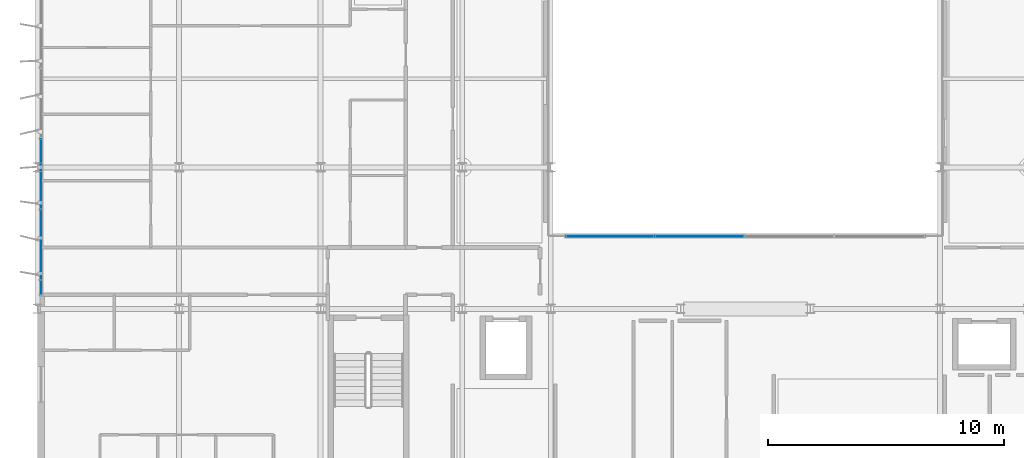
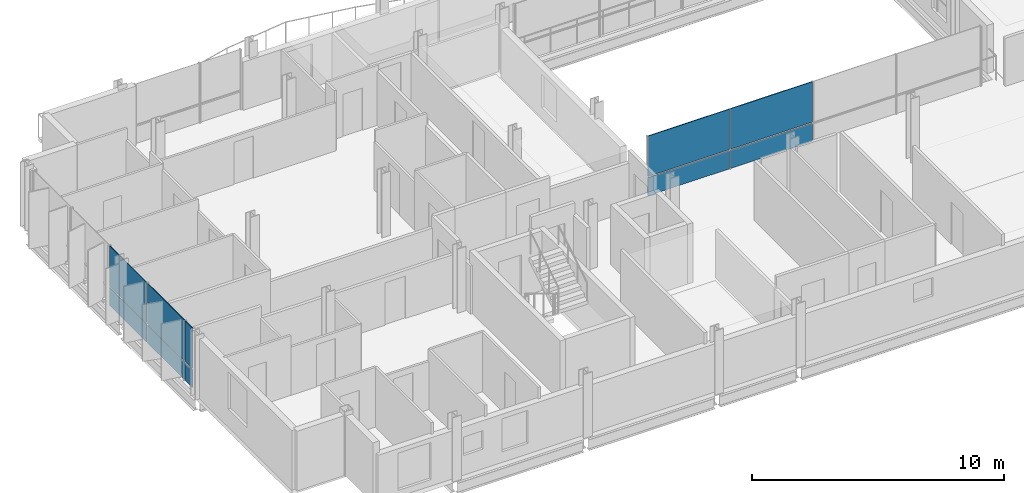
# One storey, part 25 of 38: 10 plates, 2 elements without a shape of their own.
"""IFC4 building model written with IfcOpenShell, lengths in metres."""

import ifcopenshell
import ifcopenshell.guid

model = None  # the IFC model being written
_history = None  # IfcOwnerHistory: only IFC2X3 demands one
_inside = {}  # id of a spatial element -> (the spatial element, [elements in it])
_under = {}  # id of a project, library or spatial element -> (it, [spatial elements below it])
_declared = {}  # id of a project -> (the project, [libraries it declares])
_typed = {}  # id of a type object -> (the type object, [elements of that type])
_made_of = {}  # id of a material, layer set ... -> (it, [elements and type objects made of it])


def new_model(schema):
    """Start an empty IFC model of exactly this schema.

    Asked for "IFC4X3", IfcOpenShell would pick the latest addendum, in which some entities
    have other attributes; the version numbers below select the first issue.
    IFC2X3 requires an IfcOwnerHistory on every rooted entity: one is made here for all.
    """
    global model, _history
    if schema == "IFC4X3":
        model = ifcopenshell.file(schema_version=(4, 3, 0, 0))
    else:
        model = ifcopenshell.file(schema=schema)
    _inside.clear()
    _under.clear()
    _declared.clear()
    _typed.clear()
    _made_of.clear()
    _history = None
    if model.schema == "IFC2X3":
        org = make("IfcOrganization", Name="unknown")
        user = make(
            "IfcPersonAndOrganization",
            ThePerson=make("IfcPerson", FamilyName="unknown"),
            TheOrganization=org,
        )
        app = make(
            "IfcApplication",
            ApplicationDeveloper=org,
            Version="unknown",
            ApplicationFullName="unknown",
            ApplicationIdentifier="unknown",
        )
        _history = make(
            "IfcOwnerHistory",
            OwningUser=user,
            OwningApplication=app,
            ChangeAction="ADDED",
            CreationDate=0,
        )
    return model


def make(cls, **values):
    """One entity of the class cls with the attributes given. An attribute that is None is left unset."""
    return model.create_entity(
        cls, **{name: value for name, value in values.items() if value is not None}
    )


def rooted(cls, **values):
    """An entity with a GlobalId (a new one), such as an element, a storey or a relation."""
    return make(cls, GlobalId=ifcopenshell.guid.new(), OwnerHistory=_history, **values)


def si_unit(unit_type, name, prefix=None):
    """IfcSIUnit, for example si_unit("LENGTHUNIT", "METRE", prefix="MILLI")."""
    return make("IfcSIUnit", UnitType=unit_type, Prefix=prefix, Name=name)


def assignment(units):
    """IfcUnitAssignment: the units of a project."""
    return None if units is None else make("IfcUnitAssignment", Units=units)


def point(xyz):
    """IfcCartesianPoint."""
    return None if xyz is None else make("IfcCartesianPoint", Coordinates=xyz)


def direction(xyz):
    """IfcDirection."""
    return None if xyz is None else make("IfcDirection", DirectionRatios=xyz)


def frame(location, z_axis=None, x_axis=None):
    """IfcAxis2Placement3D, a coordinate frame: its origin and axes. An axis left out is left unset."""
    return make(
        "IfcAxis2Placement3D",
        Location=point(location),
        Axis=direction(z_axis),
        RefDirection=direction(x_axis),
    )


def frame_2d(location, x_axis=None):
    """IfcAxis2Placement2D, a coordinate frame in the plane: its origin and x axis."""
    return make(
        "IfcAxis2Placement2D", Location=point(location), RefDirection=direction(x_axis)
    )


def origin():
    """The frame at (0, 0, 0) with its axes left unset."""
    return frame((0.0, 0.0, 0.0))


def origin_2d():
    """The frame at (0, 0) in the plane with its x axis left unset."""
    return frame_2d((0.0, 0.0))


def place(relative_to, where):
    """IfcLocalPlacement: puts the frame where relative to a parent placement (None: the world)."""
    return make(
        "IfcLocalPlacement", PlacementRelTo=relative_to, RelativePlacement=where
    )


def context(
    kind, dimensions, precision=None, world=None, true_north=None, identifier=None
):
    """IfcGeometricRepresentationContext, for example the 3D "Model" context."""
    return make(
        "IfcGeometricRepresentationContext",
        ContextIdentifier=identifier,
        ContextType=kind,
        CoordinateSpaceDimension=dimensions,
        Precision=precision,
        WorldCoordinateSystem=world,
        TrueNorth=true_north,
    )


def subcontext(parent, identifier, kind, view, scale=None):
    """IfcGeometricRepresentationSubContext, for example "Body" below "Model"."""
    return make(
        "IfcGeometricRepresentationSubContext",
        ContextIdentifier=identifier,
        ContextType=kind,
        ParentContext=parent,
        TargetScale=scale,
        TargetView=view,
    )


def project(units=None, contexts=None):
    """IfcProject with its units and contexts."""
    return rooted(
        "IfcProject",
        Name="project",
        RepresentationContexts=contexts,
        UnitsInContext=assignment(units),
    )


def spatial(cls, under=None, at=None, **own):
    """A site, building, storey or space (cls), placed at a placement, below another one or the project."""
    s = rooted(cls, ObjectPlacement=at, **own)
    if under is not None:
        _under.setdefault(under.id(), (under, []))[1].append(s)
    return s


def profile(cls, at=None, kind="AREA", **sizes):
    """A parametric profile (cls). Its sizes go by their IFC names, for example OverallWidth=200.0."""
    return make(cls, ProfileType=kind, Position=at, **sizes)


def rectangle(**sizes):
    """IfcRectangleProfileDef."""
    return profile("IfcRectangleProfileDef", **sizes)


def extrude(swept, where, along, depth):
    """IfcExtrudedAreaSolid: the profile swept, set in the frame where, extruded along a direction by depth."""
    return make(
        "IfcExtrudedAreaSolid",
        SweptArea=swept,
        Position=where,
        ExtrudedDirection=direction(along),
        Depth=depth,
    )


def shape(context_of_items, identifier, shape_type, items):
    """IfcShapeRepresentation: the items that make up one representation, for example the "Body"."""
    return make(
        "IfcShapeRepresentation",
        ContextOfItems=context_of_items,
        RepresentationIdentifier=identifier,
        RepresentationType=shape_type,
        Items=items,
    )


def material(Name=None, Category=None):
    """IfcMaterial."""
    return make("IfcMaterial", Name=Name, Category=Category)


def layer(
    of_material, thickness, ventilated=None, Name=None, Category=None, Priority=None
):
    """IfcMaterialLayer: one layer of a wall or slab, of a material (None: an air gap)."""
    return make(
        "IfcMaterialLayer",
        Material=of_material,
        LayerThickness=thickness,
        IsVentilated=ventilated,
        Name=Name,
        Category=Category,
        Priority=Priority,
    )


def layer_set(layers, Name=None):
    """IfcMaterialLayerSet."""
    return make("IfcMaterialLayerSet", MaterialLayers=layers, LayerSetName=Name)


def made_of(thing, what):
    """Note that an element or type object is made of a material, layer set ...; save() writes the relation."""
    if what is not None:
        _made_of.setdefault(what.id(), (what, []))[1].append(thing)
    return thing


def type_object(cls, material=None, **own):
    """A type object (cls), such as IfcWallType, which elements share."""
    return made_of(rooted(cls, **own), material)


def element(
    cls,
    number,
    at=None,
    inside=None,
    cuts=None,
    type_object=None,
    material=None,
    context=None,
    identifier="Body",
    shape_type=None,
    held_by="IfcProductDefinitionShape",
    body=None,
    shapes=None,
    **own,
):
    """One element of the class cls, such as IfcWall. Its Tag is "e" and its number.

    at: its placement. inside: the storey or other place that contains it. cuts: it is an
    opening in that element (IfcRelVoidsElement). A single representation is given by context,
    identifier, shape_type and body (its items); several are given by shapes. held_by: the class
    of the entity that holds the representations. save() writes the other relations.
    """
    e = rooted(cls, Tag="e%d" % number, ObjectPlacement=at, **own)
    if body is not None:
        shapes = [shape(context, identifier, shape_type, body)]
    if shapes is not None:
        e.Representation = make(held_by, Representations=shapes)
    if inside is not None:
        _inside.setdefault(inside.id(), (inside, []))[1].append(e)
    if cuts is not None:
        rooted(
            "IfcRelVoidsElement", RelatingBuildingElement=cuts, RelatedOpeningElement=e
        )
    if type_object is not None:
        _typed.setdefault(type_object.id(), (type_object, []))[1].append(e)
    return made_of(e, material)


def aggregate(whole, parts):
    """IfcRelAggregates: a whole, such as a stair, and the parts it consists of."""
    return rooted("IfcRelAggregates", RelatingObject=whole, RelatedObjects=parts)


def save(model, path):
    """Write the relations noted so far, then the file.

    IfcRelAggregates (storeys below a building ...), IfcRelContainedInSpatialStructure (elements
    in a storey), IfcRelDefinesByType, IfcRelAssociatesMaterial and IfcRelDeclares: one each for
    every whole, place, type object, material and project.
    """
    for whole, parts in _under.values():
        aggregate(whole, parts)
    for where, things in _inside.values():
        rooted(
            "IfcRelContainedInSpatialStructure",
            RelatedElements=things,
            RelatingStructure=where,
        )
    for kind, things in _typed.values():
        rooted("IfcRelDefinesByType", RelatedObjects=things, RelatingType=kind)
    for what, things in _made_of.values():
        rooted("IfcRelAssociatesMaterial", RelatedObjects=things, RelatingMaterial=what)
    for by, libraries in _declared.values():
        rooted("IfcRelDeclares", RelatingContext=by, RelatedDefinitions=libraries)
    model.write(path)


model = new_model("IFC4")

# Units and contexts
model_context = context("Model", 3, precision=1e-05, world=origin(), true_north=direction((0.0, 1.0)))
body_context = subcontext(model_context, "Body", "Model", "MODEL_VIEW")
ifc_project = project(units=[si_unit("LENGTHUNIT", "METRE"), si_unit("AREAUNIT", "SQUARE_METRE"), si_unit("VOLUMEUNIT", "CUBIC_METRE"), si_unit("PLANEANGLEUNIT", "RADIAN"), si_unit("MASSUNIT", "GRAM", prefix="KILO")], contexts=[model_context])

# Site, building, storey
site_placement = place(None, origin())
site = spatial("IfcSite", under=ifc_project, at=site_placement, CompositionType="ELEMENT")
building_placement = place(site_placement, origin())
building = spatial("IfcBuilding", under=site, at=building_placement, Name="Brevholm Reach", CompositionType="ELEMENT")
storey_placement = place(building_placement, frame((0.0, 0.0, 186.300048828125)))
storey = spatial("IfcBuildingStorey", under=building, at=storey_placement, Name="L56", CompositionType="ELEMENT", Elevation=186.300048828125)

# Curtain wall, plates
ifc_material_1 = material(Name="Dark Anodised Aluminium 6063-T6 and Solar-Control Glass", Category="aluminium")
ifc_layer_1 = layer(ifc_material_1, 0.14990234375)
ifc_layer_set_1 = layer_set([ifc_layer_1], Name="Dark Anodised Aluminium 6063-T6 and Solar-Control Glass")
curtain_wall_type_1 = type_object("IfcCurtainWallType", Name="CW-01", PredefinedType="NOTDEFINED", material=ifc_layer_set_1)
curtain_wall_1_placement = place(storey_placement, origin())
curtain_wall_1 = element("IfcCurtainWall", 1, at=curtain_wall_1_placement, inside=storey, type_object=curtain_wall_type_1, Name="L56 Curtain Wall CW-01", PredefinedType="NOTDEFINED")
ifc_material_2 = material(Name="Dark Solar-Control Double-Glazed IGU Glass", Category="glass")
ifc_layer_2 = layer(ifc_material_2, 0.028076171875)
ifc_layer_set_2 = layer_set([ifc_layer_2], Name="Dark Solar-Control Double-Glazed IGU Glass")
plate_type_1 = type_object("IfcPlateType", Name="CWP-GLZ-28", PredefinedType="CURTAIN_PANEL", material=ifc_layer_set_2)
plate_1_placement = place(storey_placement, frame((0.14990234375, 15.719970703125, 0.0), z_axis=(0.0, 0.0, 1.0), x_axis=(0.0, -1.0, 0.0)))
plate_1 = element("IfcPlate", 2, at=plate_1_placement, type_object=plate_type_1, Name="CP-01 Glazing Panel 3.1", PredefinedType="CURTAIN_PANEL", context=body_context, shape_type="SweptSolid", body=[
    extrude(rectangle(XDim=2.93505859375, YDim=0.028076171875, at=origin_2d()), origin(), (0.0, 0.0, 1.0), 0.867431640625),
])
plate_2_placement = place(storey_placement, frame((0.14990234375, 15.719970703125, 0.932373046875), z_axis=(0.0, 0.0, 1.0), x_axis=(0.0, -1.0, 0.0)))
plate_2 = element("IfcPlate", 3, at=plate_2_placement, type_object=plate_type_1, Name="CP-01 Glazing Panel 3.2", PredefinedType="CURTAIN_PANEL", context=body_context, shape_type="SweptSolid", body=[
    extrude(rectangle(XDim=2.93505859375, YDim=0.028076171875, at=origin_2d()), origin(), (0.0, 0.0, 1.0), 1.95751953125),
])
plate_3_placement = place(storey_placement, frame((0.14990234375, 12.719970703125, 0.0), z_axis=(0.0, 0.0, 1.0), x_axis=(0.0, -1.0, 0.0)))
plate_3 = element("IfcPlate", 4, at=plate_3_placement, type_object=plate_type_1, Name="CP-01 Glazing Panel 4.1", PredefinedType="CURTAIN_PANEL", context=body_context, shape_type="SweptSolid", body=[
    extrude(rectangle(XDim=2.93505859375, YDim=0.028076171875, at=origin_2d()), origin(), (0.0, 0.0, 1.0), 0.867431640625),
])
plate_4_placement = place(storey_placement, frame((0.14990234375, 12.719970703125, 0.932373046875), z_axis=(0.0, 0.0, 1.0), x_axis=(0.0, -1.0, 0.0)))
plate_4 = element("IfcPlate", 5, at=plate_4_placement, type_object=plate_type_1, Name="CP-01 Glazing Panel 4.2", PredefinedType="CURTAIN_PANEL", context=body_context, shape_type="SweptSolid", body=[
    extrude(rectangle(XDim=2.93505859375, YDim=0.028076171875, at=origin_2d()), origin(), (0.0, 0.0, 1.0), 1.95751953125),
])
plate_5_placement = place(storey_placement, frame((0.14990234375, 10.9013671875, 0.0), z_axis=(0.0, 0.0, 1.0), x_axis=(0.0, -1.0, 0.0)))
plate_5 = element("IfcPlate", 6, at=plate_5_placement, type_object=plate_type_1, Name="CP-01 Glazing Panel 5.1", PredefinedType="CURTAIN_PANEL", context=body_context, shape_type="SweptSolid", body=[
    extrude(rectangle(XDim=0.572509765625, YDim=0.028076171875, at=origin_2d()), origin(), (0.0, 0.0, 1.0), 0.867431640625),
])
plate_6_placement = place(storey_placement, frame((0.14990234375, 10.9013671875, 0.932373046875), z_axis=(0.0, 0.0, 1.0), x_axis=(0.0, -1.0, 0.0)))
plate_6 = element("IfcPlate", 7, at=plate_6_placement, type_object=plate_type_1, Name="CP-01 Glazing Panel 5.2", PredefinedType="CURTAIN_PANEL", context=body_context, shape_type="SweptSolid", body=[
    extrude(rectangle(XDim=0.572509765625, YDim=0.028076171875, at=origin_2d()), origin(), (0.0, 0.0, 1.0), 1.95751953125),
])
aggregate(curtain_wall_1, [plate_1, plate_2, plate_3, plate_4, plate_5, plate_6])

ifc_material_3 = material(Name="Dark Anodised Aluminium 6063-T6 and Solar-Control Glass", Category="aluminium")
ifc_layer_3 = layer(ifc_material_3, 0.139892578125)
ifc_layer_set_3 = layer_set([ifc_layer_3], Name="Dark Anodised Aluminium 6063-T6 and Solar-Control Glass")
curtain_wall_type_2 = type_object("IfcCurtainWallType", Name="CW-02", PredefinedType="NOTDEFINED", material=ifc_layer_set_3)
curtain_wall_2_placement = place(storey_placement, origin())
curtain_wall_2 = element("IfcCurtainWall", 8, at=curtain_wall_2_placement, inside=storey, type_object=curtain_wall_type_2, Name="L56 Curtain Wall CW-02", PredefinedType="NOTDEFINED")
ifc_material_4 = material(Name="Low-Iron Laminated Acoustic Glass", Category="glass")
ifc_layer_4 = layer(ifc_material_4, 0.035888671875)
ifc_layer_set_4 = layer_set([ifc_layer_4], Name="Low-Iron Laminated Acoustic Glass")
plate_type_2 = type_object("IfcPlateType", Name="CWP-GLZ-36", PredefinedType="CURTAIN_PANEL", material=ifc_layer_set_4)
plate_7_placement = place(storey_placement, frame((24.264892578125, 13.080078125, 0.0), z_axis=(0.0, 0.0, 1.0), x_axis=(1.0, 0.0, 0.0)))
plate_7 = element("IfcPlate", 9, at=plate_7_placement, type_object=plate_type_2, Name="CP-02 Glazing Panel 1.1", PredefinedType="CURTAIN_PANEL", context=body_context, shape_type="SweptSolid", body=[
    extrude(rectangle(XDim=3.7099609375, YDim=0.035888671875, at=origin_2d()), origin(), (0.0, 0.0, 1.0), 0.8701171875),
])
plate_8_placement = place(storey_placement, frame((24.264892578125, 13.080078125, 0.929931640625), z_axis=(0.0, 0.0, 1.0), x_axis=(1.0, 0.0, 0.0)))
plate_8 = element("IfcPlate", 10, at=plate_8_placement, type_object=plate_type_2, Name="CP-02 Glazing Panel 1.2", PredefinedType="CURTAIN_PANEL", context=body_context, shape_type="SweptSolid", body=[
    extrude(rectangle(XDim=3.7099609375, YDim=0.035888671875, at=origin_2d()), origin(), (0.0, 0.0, 1.0), 1.9599609375),
])
plate_9_placement = place(storey_placement, frame((28.050048828125, 13.080078125, 0.0), z_axis=(0.0, 0.0, 1.0), x_axis=(1.0, 0.0, 0.0)))
plate_9 = element("IfcPlate", 11, at=plate_9_placement, type_object=plate_type_2, Name="CP-02 Glazing Panel 2.1", PredefinedType="CURTAIN_PANEL", context=body_context, shape_type="SweptSolid", body=[
    extrude(rectangle(XDim=3.739990234375, YDim=0.035888671875, at=origin_2d()), origin(), (0.0, 0.0, 1.0), 0.8701171875),
])
plate_10_placement = place(storey_placement, frame((28.050048828125, 13.080078125, 0.929931640625), z_axis=(0.0, 0.0, 1.0), x_axis=(1.0, 0.0, 0.0)))
plate_10 = element("IfcPlate", 12, at=plate_10_placement, type_object=plate_type_2, Name="CP-02 Glazing Panel 2.2", PredefinedType="CURTAIN_PANEL", context=body_context, shape_type="SweptSolid", body=[
    extrude(rectangle(XDim=3.739990234375, YDim=0.035888671875, at=origin_2d()), origin(), (0.0, 0.0, 1.0), 1.9599609375),
])
aggregate(curtain_wall_2, [plate_7, plate_8, plate_9, plate_10])

save(model, "model.ifc")
